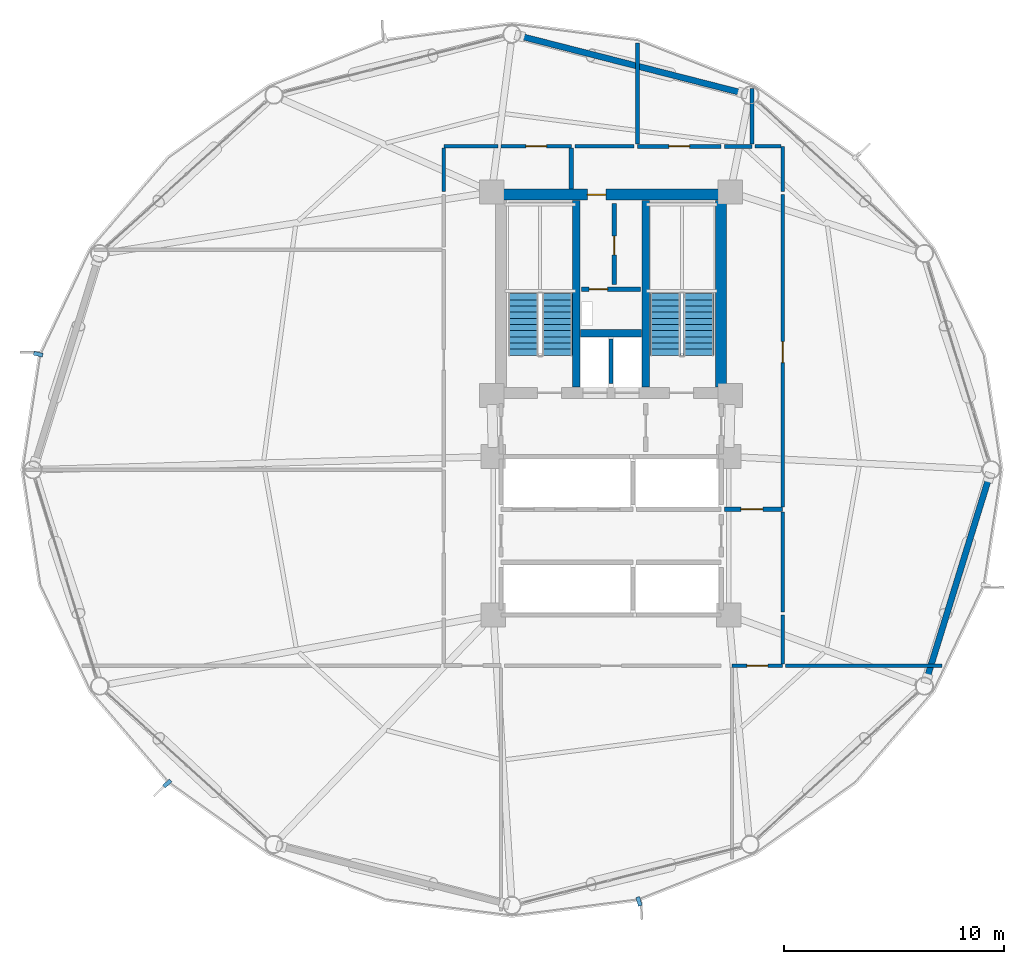
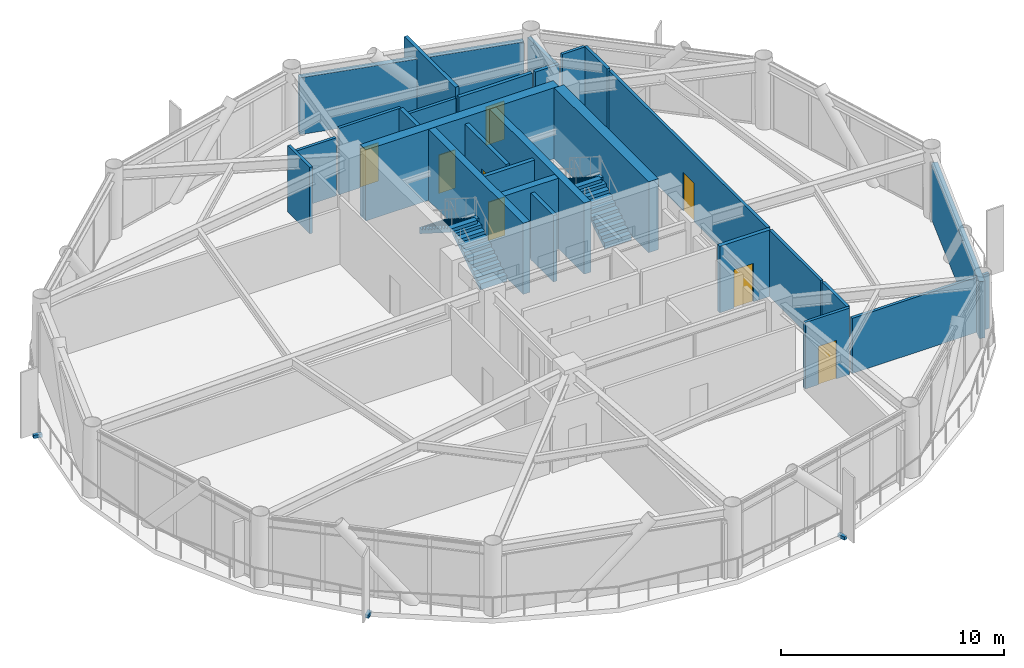
# One storey, part 21 of 25: 27 walls, 8 doors, 4 stair flights, 3 discrete accessories, 8 openings, 2 elements without a shape of their own.
"""IFC4 building model written with IfcOpenShell, lengths in metres."""

from ifc_helpers import new_model, si_unit, direction, frame, frame_2d, origin, origin_2d, place, context, subcontext, project, spatial, polyline, rectangle, outline, extrude, source, transform, mapped, material, layer, layer_set, type_object, type_shapes, element, fill, aggregate, save


model = new_model("IFC4")

# Units and contexts
model_context = context("Model", 3, precision=1e-05, world=origin(), true_north=direction((0.0, 1.0)))
body_context = subcontext(model_context, "Body", "Model", "MODEL_VIEW")
ifc_project = project(units=[si_unit("LENGTHUNIT", "METRE"), si_unit("AREAUNIT", "SQUARE_METRE"), si_unit("VOLUMEUNIT", "CUBIC_METRE"), si_unit("PLANEANGLEUNIT", "RADIAN"), si_unit("MASSUNIT", "GRAM", prefix="KILO")], contexts=[model_context])

# Site, building, storey
site_placement = place(None, origin())
site = spatial("IfcSite", under=ifc_project, at=site_placement, CompositionType="ELEMENT")
building_placement = place(site_placement, origin())
building = spatial("IfcBuilding", under=site, at=building_placement, Name="Varnakorn Sky Granary", CompositionType="ELEMENT")
storey_placement = place(building_placement, frame((0.0, 0.0, 91.5)))
storey = spatial("IfcBuildingStorey", under=building, at=storey_placement, Name="L22", CompositionType="ELEMENT", Elevation=91.5)

# Walls
ifc_material_1 = material(Name="Concrete C50/60", Category="concrete")
ifc_layer_1 = layer(ifc_material_1, 0.35009765625, Name="Concrete C50/60")
ifc_layer_set_1 = layer_set([ifc_layer_1], Name="Concrete C50/60")
wall_type_1 = type_object("IfcWallType", Name="WT-CW-INT-350", PredefinedType="SHEAR", material=ifc_layer_set_1)
for number, where, z_axis, x_axis, name in (
    (1, (1.419921875, 3.760009765625, 0.0), (0.0, 0.0, 1.0), (0.0, 1.0, 0.0), "Stair ST-1 Core Wall L22"),
    (2, (4.580078125, 3.760009765625, 0.0), (0.0, 0.0, 1.0), (0.0, 1.0, 0.0), "Stair ST-2 Core Wall L22"),
):
    element("IfcWall", number, at=place(storey_placement, frame(where, z_axis=z_axis, x_axis=x_axis)), inside=storey, type_object=wall_type_1, Name=name, PredefinedType="SHEAR", context=body_context, shape_type="SweptSolid", body=[
        extrude(rectangle(XDim=8.47998046875, YDim=0.35009765625, at=frame_2d((4.239990234375, 0.0))), origin(), (0.0, 0.0, 1.0), 3.89208984375),
    ])
wall_1_placement = place(storey_placement, frame((1.610107421875, 6.199951171875, 0.0), z_axis=(0.0, 0.0, 1.0), x_axis=(1.0, 0.0, 0.0)))
element("IfcWall", 3, at=wall_1_placement, inside=storey, type_object=wall_type_1, Name="Core Lift Shaft Cross Wall L22", PredefinedType="SHEAR", context=body_context, shape_type="SweptSolid", body=[
    extrude(rectangle(XDim=2.77978515625, YDim=0.35009765625, at=frame_2d((1.389892578125, 0.0))), origin(), (0.0, 0.0, 1.0), 3.89208984375),
])

# Wall, opening, door
ifc_material_2 = material(Name="Concrete C60/75", Category="concrete")
ifc_layer_2 = layer(ifc_material_2, 0.5, Name="Concrete C60/75")
ifc_layer_set_2 = layer_set([ifc_layer_2], Name="Concrete C60/75")
wall_type_2 = type_object("IfcWallType", Name="WT-CW-SHEAR-500", PredefinedType="SHEAR", material=ifc_layer_set_2)
wall_2_placement = place(storey_placement, frame((-2.0, 12.5, 0.0), z_axis=(0.0, 0.0, 1.0), x_axis=(1.0, 0.0, 0.0)))
wall_2 = element("IfcWall", 4, at=wall_2_placement, inside=storey, type_object=wall_type_2, Name="Core North Shear Wall L22", PredefinedType="SHEAR", context=body_context, shape_type="SweptSolid", body=[
    extrude(rectangle(XDim=10.0, YDim=0.5, at=frame_2d((5.0, 0.0))), origin(), (0.0, 0.0, 1.0), 3.89208984375),
])
opening_1_placement = place(wall_2_placement, frame((3.919921875, 0.0, 0.0)))
opening_1 = element("IfcOpeningElement", 5, at=opening_1_placement, cuts=wall_2, Name="Opening FD-60N", PredefinedType="OPENING", context=body_context, shape_type="SweptSolid", body=[
    extrude(rectangle(XDim=0.85009765625, YDim=2.10009765625, at=frame_2d((0.425048828125, 1.050048828125))), frame((0.0, 0.260009765625, 0.0), z_axis=(0.0, -1.0, 0.0), x_axis=(1.0, 0.0, 0.0)), (0.0, 0.0, 1.0), 0.52001953125),
])
ifc_material_3 = material(Name="Acoustic Timber Fire Leaf", Category="wood")
door_type_1 = type_object("IfcDoorType", Name="DR-FD60-850", OperationType="NOTDEFINED", PredefinedType="DOOR", material=ifc_material_3)
door_1_placement = place(opening_1_placement, origin())
door_1 = element("IfcDoor", 6, at=door_1_placement, inside=storey, type_object=door_type_1, Name="Core North Service Door L22", OperationType="SINGLE_SWING_RIGHT", OverallHeight=2.10009765625, OverallWidth=0.85009765625, PredefinedType="DOOR", context=body_context, shape_type="SweptSolid", body=[
    extrude(rectangle(XDim=0.85009765625, YDim=2.10009765625, at=frame_2d((0.425048828125, 1.050048828125))), frame((0.0, 0.02490234375, 0.0), z_axis=(0.0, -1.0, 0.0), x_axis=(1.0, 0.0, 0.0)), (0.0, 0.0, 1.0), 0.050048828125),
])
fill(opening_1, door_1)

# Walls
wall_3_placement = place(storey_placement, frame((8.0, 3.760009765625, 0.0), z_axis=(0.0, 0.0, 1.0), x_axis=(0.0, 1.0, 0.0)))
element("IfcWall", 7, at=wall_3_placement, inside=storey, type_object=wall_type_2, Name="Core East Shear Wall L22", PredefinedType="SHEAR", context=body_context, shape_type="SweptSolid", body=[
    extrude(rectangle(XDim=8.47998046875, YDim=0.5, at=frame_2d((4.239990234375, 0.0))), origin(), (0.0, 0.0, 1.0), 3.89208984375),
])
ifc_material_4 = material(Name="Precast concrete C40/50", Category="concrete")
ifc_layer_3 = layer(ifc_material_4, 0.280029296875, Name="Precast concrete C40/50")
ifc_layer_set_3 = layer_set([ifc_layer_3], Name="Precast concrete C40/50")
wall_type_3 = type_object("IfcWallType", Name="WT-EW-CRN-280", PredefinedType="SOLIDWALL", material=ifc_layer_set_3)
wall_4_placement = place(storey_placement, frame((-1.14990234375, 19.71240234375, 0.0), z_axis=(0.0, 0.0, 1.0), x_axis=(0.968779349378, -0.247924529279, 0.0)))
element("IfcWall", 8, at=wall_4_placement, inside=storey, type_object=wall_type_3, Name="Agritech Insulated Precast Facade Wall L22-P03", PredefinedType="SOLIDWALL", context=body_context, shape_type="SweptSolid", body=[
    extrude(rectangle(XDim=10.449951171875, YDim=0.280029296875, at=frame_2d((5.22509765625, 0.0))), origin(), (0.0, 0.0, 1.0), 3.110107421875),
])
wall_5_placement = place(storey_placement, frame((20.176513671875, -0.345458984375, 0.0), z_axis=(0.0, 0.0, 1.0), x_axis=(-0.294960704896, -0.95550938382, 0.0)))
element("IfcWall", 9, at=wall_5_placement, inside=storey, type_object=wall_type_3, Name="Agritech Insulated Precast Facade Wall L22-P12", PredefinedType="SOLIDWALL", context=body_context, shape_type="SweptSolid", body=[
    extrude(rectangle(XDim=9.568359375, YDim=0.280029296875, at=frame_2d((4.7841796875, 0.0))), origin(), (0.0, 0.0, 1.0), 3.110107421875),
])

# Wall, opening, door
ifc_material_5 = material(Name="Autoclaved Aerated Concrete Blockwork", Category="masonry")
ifc_layer_4 = layer(ifc_material_5, 0.199951171875, Name="Autoclaved Aerated Concrete Blockwork")
ifc_layer_set_4 = layer_set([ifc_layer_4], Name="Autoclaved Aerated Concrete Blockwork")
wall_type_4 = type_object("IfcWallType", Name="WT-FIRE-200", PredefinedType="MOVABLE", material=ifc_layer_set_4)
wall_6_placement = place(storey_placement, frame((1.64990234375, 8.199951171875, 0.0), z_axis=(0.0, 0.0, 1.0), x_axis=(1.0, 0.0, 0.0)))
wall_6 = element("IfcWall", 10, at=wall_6_placement, inside=storey, type_object=wall_type_4, Name="Interior Partition Wall L22-015", PredefinedType="MOVABLE", context=body_context, shape_type="SweptSolid", body=[
    extrude(rectangle(XDim=2.7001953125, YDim=0.199951171875, at=frame_2d((1.35009765625, 0.0))), origin(), (0.0, 0.0, 1.0), 3.639892578125),
])
opening_2_placement = place(wall_6_placement, frame((0.35009765625, 0.0, 0.0)))
opening_2 = element("IfcOpeningElement", 11, at=opening_2_placement, cuts=wall_6, Name="Opening FD-60N", PredefinedType="OPENING", context=body_context, shape_type="SweptSolid", body=[
    extrude(rectangle(XDim=0.85009765625, YDim=2.10009765625, at=frame_2d((0.425048828125, 1.050048828125))), frame((0.0, 0.10986328125, 0.0), z_axis=(0.0, -1.0, 0.0), x_axis=(1.0, 0.0, 0.0)), (0.0, 0.0, 1.0), 0.219970703125),
])
door_2_placement = place(opening_2_placement, origin())
door_2 = element("IfcDoor", 12, at=door_2_placement, inside=storey, type_object=door_type_1, Name="Interior Door L22-015-1", OperationType="SINGLE_SWING_RIGHT", OverallHeight=2.10009765625, OverallWidth=0.85009765625, PredefinedType="DOOR", context=body_context, shape_type="SweptSolid", body=[
    extrude(rectangle(XDim=0.85009765625, YDim=2.10009765625, at=frame_2d((0.425048828125, 1.050048828125))), frame((0.0, 0.02490234375, 0.0), z_axis=(0.0, -1.0, 0.0), x_axis=(1.0, 0.0, 0.0)), (0.0, 0.0, 1.0), 0.050048828125),
])
fill(opening_2, door_2)

wall_7_placement = place(storey_placement, frame((3.14990234375, 8.429931640625, 0.0), z_axis=(0.0, 0.0, 1.0), x_axis=(0.0, 1.0, 0.0)))
wall_7 = element("IfcWall", 13, at=wall_7_placement, inside=storey, type_object=wall_type_4, Name="Interior Partition Wall L22-016", PredefinedType="MOVABLE", context=body_context, shape_type="SweptSolid", body=[
    extrude(rectangle(XDim=3.670166015625, YDim=0.199951171875, at=frame_2d((1.8349609375, 0.0))), origin(), (0.0, 0.0, 1.0), 3.639892578125),
])
opening_3_placement = place(wall_7_placement, frame((1.340087890625, 0.0, 0.0)))
opening_3 = element("IfcOpeningElement", 14, at=opening_3_placement, cuts=wall_7, Name="Opening FD-60N", PredefinedType="OPENING", context=body_context, shape_type="SweptSolid", body=[
    extrude(rectangle(XDim=0.85009765625, YDim=2.10009765625, at=frame_2d((0.425048828125, 1.050048828125))), frame((0.0, 0.10986328125, 0.0), z_axis=(0.0, -1.0, 0.0), x_axis=(1.0, 0.0, 0.0)), (0.0, 0.0, 1.0), 0.219970703125),
])
door_3_placement = place(opening_3_placement, origin())
door_3 = element("IfcDoor", 15, at=door_3_placement, inside=storey, type_object=door_type_1, Name="Interior Door L22-016-1", OperationType="SINGLE_SWING_LEFT", OverallHeight=2.10009765625, OverallWidth=0.85009765625, PredefinedType="DOOR", context=body_context, shape_type="SweptSolid", body=[
    extrude(rectangle(XDim=0.85009765625, YDim=2.10009765625, at=frame_2d((0.425048828125, 1.050048828125))), frame((0.0, 0.02490234375, 0.0), z_axis=(0.0, -1.0, 0.0), x_axis=(1.0, 0.0, 0.0)), (0.0, 0.0, 1.0), 0.050048828125),
])
fill(opening_3, door_3)

wall_8_placement = place(storey_placement, frame((8.159912109375, -1.800048828125, 0.0), z_axis=(0.0, 0.0, 1.0), x_axis=(1.0, 0.0, 0.0)))
wall_8 = element("IfcWall", 16, at=wall_8_placement, inside=storey, type_object=wall_type_4, Name="Interior Partition Wall L22-022", PredefinedType="MOVABLE", context=body_context, shape_type="SweptSolid", body=[
    extrude(rectangle(XDim=2.64013671875, YDim=0.199951171875, at=frame_2d((1.320068359375, 0.0))), origin(), (0.0, 0.0, 1.0), 3.639892578125),
])
opening_4_placement = place(wall_8_placement, frame((0.739990234375, 0.0, 0.0)))
opening_4 = element("IfcOpeningElement", 17, at=opening_4_placement, cuts=wall_8, Name="Opening FD-60", PredefinedType="OPENING", context=body_context, shape_type="SweptSolid", body=[
    extrude(rectangle(XDim=1.0, YDim=2.10009765625, at=frame_2d((0.5, 1.050048828125))), frame((0.0, 0.10986328125, 0.0), z_axis=(0.0, -1.0, 0.0), x_axis=(1.0, 0.0, 0.0)), (0.0, 0.0, 1.0), 0.219970703125),
])
door_type_2 = type_object("IfcDoorType", Name="DR-FD60-1000", OperationType="NOTDEFINED", PredefinedType="DOOR", material=ifc_material_3)
door_4_placement = place(opening_4_placement, origin())
door_4 = element("IfcDoor", 18, at=door_4_placement, inside=storey, type_object=door_type_2, Name="Interior Door L22-022-1", OperationType="SINGLE_SWING_LEFT", OverallHeight=2.10009765625, OverallWidth=1.0, PredefinedType="DOOR", context=body_context, shape_type="SweptSolid", body=[
    extrude(rectangle(XDim=1.0, YDim=2.10009765625, at=frame_2d((0.5, 1.050048828125))), frame((0.0, 0.02490234375, 0.0), z_axis=(0.0, -1.0, 0.0), x_axis=(1.0, 0.0, 0.0)), (0.0, 0.0, 1.0), 0.050048828125),
])
fill(opening_4, door_4)

# Wall
wall_9_placement = place(storey_placement, frame((1.199951171875, 14.614990234375, 0.0), z_axis=(0.0, 0.0, 1.0), x_axis=(0.0, -1.0, 0.0)))
element("IfcWall", 19, at=wall_9_placement, inside=storey, type_object=wall_type_4, Name="Interior Partition Wall L22-032", PredefinedType="MOVABLE", context=body_context, shape_type="SweptSolid", body=[
    extrude(rectangle(XDim=1.85498046875, YDim=0.199951171875, at=frame_2d((0.927490234375, 0.0))), origin(), (0.0, 0.0, 1.0), 3.639892578125),
])

# Wall, opening, door
ifc_material_6 = material(Name="Gypsum Plasterboard on Steel Stud", Category="steel")
ifc_layer_5 = layer(ifc_material_6, 0.14990234375, Name="Gypsum Plasterboard on Steel Stud")
ifc_layer_set_5 = layer_set([ifc_layer_5], Name="Gypsum Plasterboard on Steel Stud")
wall_type_5 = type_object("IfcWallType", Name="WT-PART-150", PredefinedType="PARTITIONING", material=ifc_layer_set_5)
wall_10_placement = place(storey_placement, frame((8.5, -8.89990234375, 0.0), z_axis=(0.0, 0.0, 1.0), x_axis=(1.0, 0.0, 0.0)))
wall_10 = element("IfcWall", 20, at=wall_10_placement, inside=storey, type_object=wall_type_5, Name="Interior Partition Wall L22-026", PredefinedType="PARTITIONING", context=body_context, shape_type="SweptSolid", body=[
    extrude(rectangle(XDim=2.300048828125, YDim=0.14990234375, at=frame_2d((1.14990234375, 0.0))), origin(), (0.0, 0.0, 1.0), 3.639892578125),
])
opening_5_placement = place(wall_10_placement, frame((0.675048828125, 0.0, 0.0)))
opening_5 = element("IfcOpeningElement", 21, at=opening_5_placement, cuts=wall_10, Name="Opening ID-95", PredefinedType="OPENING", context=body_context, shape_type="SweptSolid", body=[
    extrude(rectangle(XDim=0.949951171875, YDim=2.10009765625, at=frame_2d((0.47509765625, 1.050048828125))), frame((0.0, 0.0849609375, 0.0), z_axis=(0.0, -1.0, 0.0), x_axis=(1.0, 0.0, 0.0)), (0.0, 0.0, 1.0), 0.169921875),
])
ifc_material_7 = material(Name="Solid-Core Teak Veneer Leaf", Category="timber")
door_type_3 = type_object("IfcDoorType", Name="DR-INT-950", OperationType="NOTDEFINED", PredefinedType="DOOR", material=ifc_material_7)
door_5_placement = place(opening_5_placement, origin())
door_5 = element("IfcDoor", 22, at=door_5_placement, inside=storey, type_object=door_type_3, Name="Interior Door L22-026-1", OperationType="SINGLE_SWING_LEFT", OverallHeight=2.10009765625, OverallWidth=0.949951171875, PredefinedType="DOOR", context=body_context, shape_type="SweptSolid", body=[
    extrude(rectangle(XDim=0.949951171875, YDim=2.10009765625, at=frame_2d((0.47509765625, 1.050048828125))), frame((0.0, 0.02490234375, 0.0), z_axis=(0.0, -1.0, 0.0), x_axis=(1.0, 0.0, 0.0)), (0.0, 0.0, 1.0), 0.050048828125),
])
fill(opening_5, door_5)

wall_11_placement = place(storey_placement, frame((1.199951171875, 14.699951171875, 0.0), z_axis=(0.0, 0.0, 1.0), x_axis=(-1.0, 0.0, 0.0)))
wall_11 = element("IfcWall", 23, at=wall_11_placement, inside=storey, type_object=wall_type_5, Name="Interior Partition Wall L22-029", PredefinedType="PARTITIONING", context=body_context, shape_type="SweptSolid", body=[
    extrude(rectangle(XDim=3.199951171875, YDim=0.14990234375, at=frame_2d((1.60009765625, 0.0))), origin(), (0.0, 0.0, 1.0), 3.639892578125),
])
opening_6_placement = place(wall_11_placement, frame((1.125, 0.0, 0.0)))
opening_6 = element("IfcOpeningElement", 24, at=opening_6_placement, cuts=wall_11, Name="Opening ID-95", PredefinedType="OPENING", context=body_context, shape_type="SweptSolid", body=[
    extrude(rectangle(XDim=0.949951171875, YDim=2.10009765625, at=frame_2d((0.47509765625, 1.050048828125))), frame((0.0, 0.0849609375, 0.0), z_axis=(0.0, -1.0, 0.0), x_axis=(1.0, 0.0, 0.0)), (0.0, 0.0, 1.0), 0.169921875),
])
door_6_placement = place(opening_6_placement, origin())
door_6 = element("IfcDoor", 25, at=door_6_placement, inside=storey, type_object=door_type_3, Name="Interior Door L22-029-1", OperationType="SINGLE_SWING_RIGHT", OverallHeight=2.10009765625, OverallWidth=0.949951171875, PredefinedType="DOOR", context=body_context, shape_type="SweptSolid", body=[
    extrude(rectangle(XDim=0.949951171875, YDim=2.10009765625, at=frame_2d((0.47509765625, 1.050048828125))), frame((0.0, 0.02490234375, 0.0), z_axis=(0.0, -1.0, 0.0), x_axis=(1.0, 0.0, 0.0)), (0.0, 0.0, 1.0), 0.050048828125),
])
fill(opening_6, door_6)

wall_12_placement = place(storey_placement, frame((10.800048828125, -1.68994140625, 0.0), z_axis=(0.0, 0.0, 1.0), x_axis=(0.0, 1.0, 0.0)))
wall_12 = element("IfcWall", 26, at=wall_12_placement, inside=storey, type_object=wall_type_5, Name="Interior Partition Wall L22-030", PredefinedType="PARTITIONING", context=body_context, shape_type="SweptSolid", body=[
    extrude(rectangle(XDim=14.18994140625, YDim=0.14990234375, at=frame_2d((7.094970703125, 0.0))), origin(), (0.0, 0.0, 1.0), 3.639892578125),
])
opening_7_placement = place(wall_12_placement, frame((6.56494140625, 0.0, 0.0)))
opening_7 = element("IfcOpeningElement", 27, at=opening_7_placement, cuts=wall_12, Name="Opening ID-95", PredefinedType="OPENING", context=body_context, shape_type="SweptSolid", body=[
    extrude(rectangle(XDim=0.949951171875, YDim=2.10009765625, at=frame_2d((0.47509765625, 1.050048828125))), frame((0.0, 0.0849609375, 0.0), z_axis=(0.0, -1.0, 0.0), x_axis=(1.0, 0.0, 0.0)), (0.0, 0.0, 1.0), 0.169921875),
])
door_7_placement = place(opening_7_placement, origin())
door_7 = element("IfcDoor", 28, at=door_7_placement, inside=storey, type_object=door_type_3, Name="Interior Door L22-030-1", OperationType="SINGLE_SWING_LEFT", OverallHeight=2.10009765625, OverallWidth=0.949951171875, PredefinedType="DOOR", context=body_context, shape_type="SweptSolid", body=[
    extrude(rectangle(XDim=0.949951171875, YDim=2.10009765625, at=frame_2d((0.47509765625, 1.050048828125))), frame((0.0, 0.02490234375, 0.0), z_axis=(0.0, -1.0, 0.0), x_axis=(1.0, 0.0, 0.0)), (0.0, 0.0, 1.0), 0.050048828125),
])
fill(opening_7, door_7)

# Walls
wall_13_placement = place(storey_placement, frame((10.93505859375, -8.89990234375, 0.0), z_axis=(0.0, 0.0, 1.0), x_axis=(1.0, 0.0, 0.0)))
element("IfcWall", 29, at=wall_13_placement, inside=storey, type_object=wall_type_5, Name="Interior Partition Wall L22-037", PredefinedType="PARTITIONING", context=body_context, shape_type="SweptSolid", body=[
    extrude(rectangle(XDim=7.098876953125, YDim=0.14990234375, at=frame_2d((3.54931640625, 0.0))), origin(), (0.0, 0.0, 1.0), 3.02197265625),
])
wall_14_placement = place(storey_placement, frame((-2.135009765625, 14.699951171875, 0.0), z_axis=(0.0, 0.0, 1.0), x_axis=(-1.0, 0.0, 0.0)))
element("IfcWall", 30, at=wall_14_placement, inside=storey, type_object=wall_type_5, Name="Interior Partition Wall L22-041", PredefinedType="PARTITIONING", context=body_context, shape_type="SweptSolid", body=[
    extrude(rectangle(XDim=2.465087890625, YDim=0.14990234375, at=frame_2d((1.232421875, 0.0))), origin(), (0.0, 0.0, 1.0), 3.172119140625),
])
wall_15_placement = place(storey_placement, frame((-4.60009765625, 14.614990234375, 0.0), z_axis=(0.0, 0.0, 1.0), x_axis=(0.0, -1.0, 0.0)))
element("IfcWall", 31, at=wall_15_placement, inside=storey, type_object=wall_type_5, Name="Interior Partition Wall L22-043", PredefinedType="PARTITIONING", context=body_context, shape_type="SweptSolid", body=[
    extrude(rectangle(XDim=1.97998046875, YDim=0.14990234375, at=frame_2d((0.989990234375, 0.0))), origin(), (0.0, 0.0, 1.0), 3.639892578125),
])
wall_16_placement = place(storey_placement, frame((4.050048828125, 14.699951171875, 0.0), z_axis=(0.0, 0.0, 1.0), x_axis=(-1.0, 0.0, 0.0)))
element("IfcWall", 32, at=wall_16_placement, inside=storey, type_object=wall_type_5, Name="Interior Partition Wall L22-044", PredefinedType="PARTITIONING", context=body_context, shape_type="SweptSolid", body=[
    extrude(rectangle(XDim=2.68994140625, YDim=0.14990234375, at=frame_2d((1.344970703125, 0.0))), origin(), (0.0, 0.0, 1.0), 3.172119140625),
])
wall_17_placement = place(storey_placement, frame((10.800048828125, 12.635009765625, 0.0), z_axis=(0.0, 0.0, 1.0), x_axis=(0.0, 1.0, 0.0)))
element("IfcWall", 33, at=wall_17_placement, inside=storey, type_object=wall_type_5, Name="Interior Partition Wall L22-046", PredefinedType="PARTITIONING", context=body_context, shape_type="SweptSolid", body=[
    extrude(rectangle(XDim=2.06494140625, YDim=0.14990234375, at=frame_2d((1.032470703125, 0.0))), origin(), (0.0, 0.0, 1.0), 3.639892578125),
])
wall_18_placement = place(storey_placement, frame((10.715087890625, 14.699951171875, 0.0), z_axis=(0.0, 0.0, 1.0), x_axis=(-1.0, 0.0, 0.0)))
element("IfcWall", 34, at=wall_18_placement, inside=storey, type_object=wall_type_5, Name="Interior Partition Wall L22-047", PredefinedType="PARTITIONING", context=body_context, shape_type="SweptSolid", body=[
    extrude(rectangle(XDim=1.1650390625, YDim=0.14990234375, at=frame_2d((0.58251953125, 0.0))), origin(), (0.0, 0.0, 1.0), 3.639892578125),
])
wall_19_placement = place(storey_placement, frame((10.800048828125, -8.81494140625, 0.0), z_axis=(0.0, 0.0, 1.0), x_axis=(0.0, 1.0, 0.0)))
element("IfcWall", 35, at=wall_19_placement, inside=storey, type_object=wall_type_5, Name="Interior Partition Wall L22-048", PredefinedType="PARTITIONING", context=body_context, shape_type="SweptSolid", body=[
    extrude(rectangle(XDim=2.21484375, YDim=0.14990234375, at=frame_2d((1.107421875, 0.0))), origin(), (0.0, 0.0, 1.0), 3.639892578125),
])
wall_20_placement = place(storey_placement, frame((10.800048828125, -6.465087890625, 0.0), z_axis=(0.0, 0.0, 1.0), x_axis=(0.0, 1.0, 0.0)))
element("IfcWall", 36, at=wall_20_placement, inside=storey, type_object=wall_type_5, Name="Interior Partition Wall L22-049", PredefinedType="PARTITIONING", context=body_context, shape_type="SweptSolid", body=[
    extrude(rectangle(XDim=4.55517578125, YDim=0.14990234375, at=frame_2d((2.277587890625, 0.0))), origin(), (0.0, 0.0, 1.0), 3.639892578125),
])

# Wall, opening, door
ifc_material_8 = material(Name="Moisture-Resistant Gypsum on Stud", Category="gypsum")
ifc_layer_6 = layer(ifc_material_8, 0.179931640625, Name="Moisture-Resistant Gypsum on Stud")
ifc_layer_set_6 = layer_set([ifc_layer_6], Name="Moisture-Resistant Gypsum on Stud")
wall_type_6 = type_object("IfcWallType", Name="WT-PLUMB-180", PredefinedType="PLUMBINGWALL", material=ifc_layer_set_6)
wall_21_placement = place(storey_placement, frame((8.0, 14.699951171875, 0.0), z_axis=(0.0, 0.0, 1.0), x_axis=(-1.0, 0.0, 0.0)))
wall_21 = element("IfcWall", 37, at=wall_21_placement, inside=storey, type_object=wall_type_6, Name="Interior Partition Wall L22-023", PredefinedType="PLUMBINGWALL", context=body_context, shape_type="SweptSolid", body=[
    extrude(rectangle(XDim=3.800048828125, YDim=0.179931640625, at=frame_2d((1.89990234375, 0.0))), origin(), (0.0, 0.0, 1.0), 3.172119140625),
])
opening_8_placement = place(wall_21_placement, frame((1.425048828125, 0.0, 0.0)))
opening_8 = element("IfcOpeningElement", 38, at=opening_8_placement, cuts=wall_21, Name="Opening ID-95", PredefinedType="OPENING", context=body_context, shape_type="SweptSolid", body=[
    extrude(rectangle(XDim=0.949951171875, YDim=2.10009765625, at=frame_2d((0.47509765625, 1.050048828125))), frame((0.0, 0.10009765625, 0.0), z_axis=(0.0, -1.0, 0.0), x_axis=(1.0, 0.0, 0.0)), (0.0, 0.0, 1.0), 0.199951171875),
])
door_8_placement = place(opening_8_placement, origin())
door_8 = element("IfcDoor", 39, at=door_8_placement, inside=storey, type_object=door_type_3, Name="Interior Door L22-023-1", OperationType="SINGLE_SWING_RIGHT", OverallHeight=2.10009765625, OverallWidth=0.949951171875, PredefinedType="DOOR", context=body_context, shape_type="SweptSolid", body=[
    extrude(rectangle(XDim=0.949951171875, YDim=2.10009765625, at=frame_2d((0.47509765625, 1.050048828125))), frame((0.0, 0.02490234375, 0.0), z_axis=(0.0, -1.0, 0.0), x_axis=(1.0, 0.0, 0.0)), (0.0, 0.0, 1.0), 0.050048828125),
])
fill(opening_8, door_8)

# Walls
wall_22_placement = place(storey_placement, frame((9.39990234375, 14.699951171875, 0.0), z_axis=(0.0, 0.0, 1.0), x_axis=(-1.0, 0.0, 0.0)))
element("IfcWall", 40, at=wall_22_placement, inside=storey, type_object=wall_type_6, Name="Interior Partition Wall L22-033", PredefinedType="PLUMBINGWALL", context=body_context, shape_type="SweptSolid", body=[
    extrude(rectangle(XDim=1.25, YDim=0.179931640625, at=frame_2d((0.625, 0.0))), origin(), (0.0, 0.0, 1.0), 3.172119140625),
])
wall_23_placement = place(storey_placement, frame((4.199951171875, 19.384033203125, 0.0), z_axis=(0.0, 0.0, 1.0), x_axis=(0.0, -1.0, 0.0)))
element("IfcWall", 41, at=wall_23_placement, inside=storey, type_object=wall_type_6, Name="Interior Partition Wall L22-045", PredefinedType="PLUMBINGWALL", context=body_context, shape_type="SweptSolid", body=[
    extrude(rectangle(XDim=4.583984375, YDim=0.179931640625, at=frame_2d((2.2919921875, 0.0))), origin(), (0.0, 0.0, 1.0), 3.639892578125),
])
wall_24_placement = place(storey_placement, frame((9.39990234375, 14.800048828125, 0.0), z_axis=(0.0, 0.0, 1.0), x_axis=(0.0, 1.0, 0.0)))
element("IfcWall", 42, at=wall_24_placement, inside=storey, type_object=wall_type_6, Name="Interior Partition Wall L22-050", PredefinedType="PLUMBINGWALL", context=body_context, shape_type="SweptSolid", body=[
    extrude(rectangle(XDim=2.531982421875, YDim=0.179931640625, at=frame_2d((1.26611328125, 0.0))), origin(), (0.0, 0.0, 1.0), 3.02197265625),
])
ifc_layer_7 = layer(ifc_material_5, 0.199951171875, Name="Autoclaved Aerated Concrete Blockwork")
ifc_layer_set_7 = layer_set([ifc_layer_7], Name="Autoclaved Aerated Concrete Blockwork")
wall_type_7 = type_object("IfcWallType", Name="WT-SHAFT-200", PredefinedType="SOLIDWALL", material=ifc_layer_set_7)
wall_25_placement = place(storey_placement, frame((3.0, 3.919921875, 0.0), z_axis=(0.0, 0.0, 1.0), x_axis=(0.0, 1.0, 0.0)))
element("IfcWall", 43, at=wall_25_placement, inside=storey, type_object=wall_type_7, Name="Interior Partition Wall L22-001", PredefinedType="SOLIDWALL", context=body_context, shape_type="SweptSolid", body=[
    extrude(rectangle(XDim=2.030029296875, YDim=0.199951171875, at=frame_2d((1.01513671875, 0.0))), origin(), (0.0, 0.0, 1.0), 3.639892578125),
])

# Stair, stair flights
ifc_material_9 = material(Name="Concrete C40/50", Category="concrete")
stair_type = type_object("IfcStairType", Name="ST-MAIN-ASSEMBLY", PredefinedType="HALF_TURN_STAIR", material=ifc_material_9)
stair_1_placement = place(storey_placement, origin())
stair_1 = element("IfcStair", 44, at=stair_1_placement, inside=storey, type_object=stair_type, Name="L22 Protected Exit Stair ST-1", PredefinedType="HALF_TURN_STAIR")
stair_flight_type = type_object("IfcStairFlightType", Name="ST-MAIN-FLIGHT", PredefinedType="STRAIGHT", material=ifc_material_9)
stair_flight_1_placement = place(storey_placement, frame((0.550048828125, 5.199951171875, 0.0), z_axis=(0.0, 0.0, 1.0), x_axis=(0.0, 1.0, 0.0)))
stair_flight_1 = element("IfcStairFlight", 45, at=stair_flight_1_placement, type_object=stair_flight_type, Name="ST-1 flight 1", NumberOfRisers=11, NumberOfTreads=10, PredefinedType="STRAIGHT", RiserHeight=0.177272727, TreadLength=0.28, context=body_context, shape_type="SweptSolid", body=[
    extrude(outline(polyline([(0.0, -0.14990234375), (0.0, 0.0), (0.0, 0.17724609375), (0.280029296875, 0.17724609375), (0.280029296875, 0.3544921875), (0.56005859375, 0.3544921875), (0.56005859375, 0.53173828125), (0.840087890625, 0.53173828125), (0.840087890625, 0.708984375), (1.1201171875, 0.708984375), (1.1201171875, 0.886474609375), (1.39990234375, 0.886474609375), (1.39990234375, 1.063720703125), (1.679931640625, 1.063720703125), (1.679931640625, 1.240966796875), (1.9599609375, 1.240966796875), (1.9599609375, 1.418212890625), (2.239990234375, 1.418212890625), (2.239990234375, 1.595458984375), (2.52001953125, 1.595458984375), (2.52001953125, 1.772705078125), (2.800048828125, 1.772705078125), (2.800048828125, 1.949951171875), (2.800048828125, 1.59521484375), (0.050048828125, -0.14990234375), (0.0, -0.14990234375)])), frame((0.0, 0.68994140625, 0.0), z_axis=(0.0, -1.0, 0.0), x_axis=(1.0, 0.0, 0.0)), (0.0, 0.0, 1.0), 1.3798828125),
])
stair_flight_2_placement = place(storey_placement, frame((-0.97998046875, 8.0, 1.949951171875), z_axis=(0.0, 0.0, 1.0), x_axis=(0.0, -1.0, 0.0)))
stair_flight_2 = element("IfcStairFlight", 46, at=stair_flight_2_placement, type_object=stair_flight_type, Name="ST-1 flight 2", NumberOfRisers=11, NumberOfTreads=10, PredefinedType="STRAIGHT", RiserHeight=0.177272727, TreadLength=0.28, context=body_context, shape_type="SweptSolid", body=[
    extrude(outline(polyline([(0.0, -0.14990234375), (0.0, 0.0), (0.0, 0.17724609375), (0.280029296875, 0.17724609375), (0.280029296875, 0.3544921875), (0.56005859375, 0.3544921875), (0.56005859375, 0.53173828125), (0.840087890625, 0.53173828125), (0.840087890625, 0.708984375), (1.1201171875, 0.708984375), (1.1201171875, 0.886474609375), (1.39990234375, 0.886474609375), (1.39990234375, 1.063720703125), (1.679931640625, 1.063720703125), (1.679931640625, 1.240966796875), (1.9599609375, 1.240966796875), (1.9599609375, 1.418212890625), (2.239990234375, 1.418212890625), (2.239990234375, 1.595458984375), (2.52001953125, 1.595458984375), (2.52001953125, 1.772705078125), (2.800048828125, 1.772705078125), (2.800048828125, 1.949951171875), (2.800048828125, 1.59521484375), (0.050048828125, -0.14990234375), (0.0, -0.14990234375)])), frame((0.0, 0.68994140625, 0.0), z_axis=(0.0, -1.0, 0.0), x_axis=(1.0, 0.0, 0.0)), (0.0, 0.0, 1.0), 1.3798828125),
])
aggregate(stair_1, [stair_flight_1, stair_flight_2])

stair_2_placement = place(storey_placement, origin())
stair_2 = element("IfcStair", 47, at=stair_2_placement, inside=storey, type_object=stair_type, Name="L22 Protected Exit Stair ST-2", PredefinedType="HALF_TURN_STAIR")
stair_flight_3_placement = place(storey_placement, frame((6.989990234375, 5.199951171875, 0.0), z_axis=(0.0, 0.0, 1.0), x_axis=(0.0, 1.0, 0.0)))
stair_flight_3 = element("IfcStairFlight", 48, at=stair_flight_3_placement, type_object=stair_flight_type, Name="ST-2 flight 1", NumberOfRisers=11, NumberOfTreads=10, PredefinedType="STRAIGHT", RiserHeight=0.177272727, TreadLength=0.28, context=body_context, shape_type="SweptSolid", body=[
    extrude(outline(polyline([(0.0, -0.14990234375), (0.0, 0.0), (0.0, 0.17724609375), (0.280029296875, 0.17724609375), (0.280029296875, 0.3544921875), (0.56005859375, 0.3544921875), (0.56005859375, 0.53173828125), (0.840087890625, 0.53173828125), (0.840087890625, 0.708984375), (1.1201171875, 0.708984375), (1.1201171875, 0.886474609375), (1.39990234375, 0.886474609375), (1.39990234375, 1.063720703125), (1.679931640625, 1.063720703125), (1.679931640625, 1.240966796875), (1.9599609375, 1.240966796875), (1.9599609375, 1.418212890625), (2.239990234375, 1.418212890625), (2.239990234375, 1.595458984375), (2.52001953125, 1.595458984375), (2.52001953125, 1.772705078125), (2.800048828125, 1.772705078125), (2.800048828125, 1.949951171875), (2.800048828125, 1.59521484375), (0.050048828125, -0.14990234375), (0.0, -0.14990234375)])), frame((0.0, 0.68994140625, 0.0), z_axis=(0.0, -1.0, 0.0), x_axis=(1.0, 0.0, 0.0)), (0.0, 0.0, 1.0), 1.3798828125),
])
stair_flight_4_placement = place(storey_placement, frame((5.4599609375, 8.0, 1.949951171875), z_axis=(0.0, 0.0, 1.0), x_axis=(0.0, -1.0, 0.0)))
stair_flight_4 = element("IfcStairFlight", 49, at=stair_flight_4_placement, type_object=stair_flight_type, Name="ST-2 flight 2", NumberOfRisers=11, NumberOfTreads=10, PredefinedType="STRAIGHT", RiserHeight=0.177272727, TreadLength=0.28, context=body_context, shape_type="SweptSolid", body=[
    extrude(outline(polyline([(0.0, -0.14990234375), (0.0, 0.0), (0.0, 0.17724609375), (0.280029296875, 0.17724609375), (0.280029296875, 0.3544921875), (0.56005859375, 0.3544921875), (0.56005859375, 0.53173828125), (0.840087890625, 0.53173828125), (0.840087890625, 0.708984375), (1.1201171875, 0.708984375), (1.1201171875, 0.886474609375), (1.39990234375, 0.886474609375), (1.39990234375, 1.063720703125), (1.679931640625, 1.063720703125), (1.679931640625, 1.240966796875), (1.9599609375, 1.240966796875), (1.9599609375, 1.418212890625), (2.239990234375, 1.418212890625), (2.239990234375, 1.595458984375), (2.52001953125, 1.595458984375), (2.52001953125, 1.772705078125), (2.800048828125, 1.772705078125), (2.800048828125, 1.949951171875), (2.800048828125, 1.59521484375), (0.050048828125, -0.14990234375), (0.0, -0.14990234375)])), frame((0.0, 0.68994140625, 0.0), z_axis=(0.0, -1.0, 0.0), x_axis=(1.0, 0.0, 0.0)), (0.0, 0.0, 1.0), 1.3798828125),
])
aggregate(stair_2, [stair_flight_3, stair_flight_4])

# Discrete accessories
ifc_material_10 = material(Name="Steel S355JR", Category="steel")
discrete_accessory_type = type_object("IfcDiscreteAccessoryType", Name="AC-BRK-01", PredefinedType="BRACKET", material=ifc_material_10)
shared_shape = source(origin(), body_context, "Body", "SweptSolid", [
    extrude(rectangle(XDim=0.179931640625, YDim=0.419921875, at=origin_2d()), origin(), (0.0, 0.0, 1.0), 0.179931640625),
])
type_shapes(discrete_accessory_type, [shared_shape])
for number, where, z_axis, x_axis, name in (
    (50, (-23.029296875, 5.253173828125, -0.2001953125), (0.0, 0.0, 1.0), (-0.237051016095, -0.971497203171, 0.0), "Facade Solar-Screen Outrigger Bracket L22-06"),
    (51, (-17.16845703125, -14.259765625, -0.2001953125), (0.0, 0.0, 1.0), (0.673076492013, -0.739572873962, 0.0), "Facade Solar-Screen Outrigger Bracket L22-08"),
    (52, (4.271484375, -19.6142578125, -0.2001953125), (0.0, 0.0, 1.0), (0.959332591382, 0.28227819454, 0.0), "Facade Solar-Screen Outrigger Bracket L22-10"),
):
    element("IfcDiscreteAccessory", number, at=place(storey_placement, frame(where, z_axis=z_axis, x_axis=x_axis)), inside=storey, type_object=discrete_accessory_type, Name=name, PredefinedType="BRACKET", context=body_context, shape_type="MappedRepresentation", body=[
        mapped(shared_shape, transform((0.0, 0.0, 0.0), x_axis=(1.0, 0.0, 0.0), y_axis=(0.0, 1.0, 0.0), z_axis=(0.0, 0.0, 1.0), scale=1.0)),
    ])

save(model, "model.ifc")
